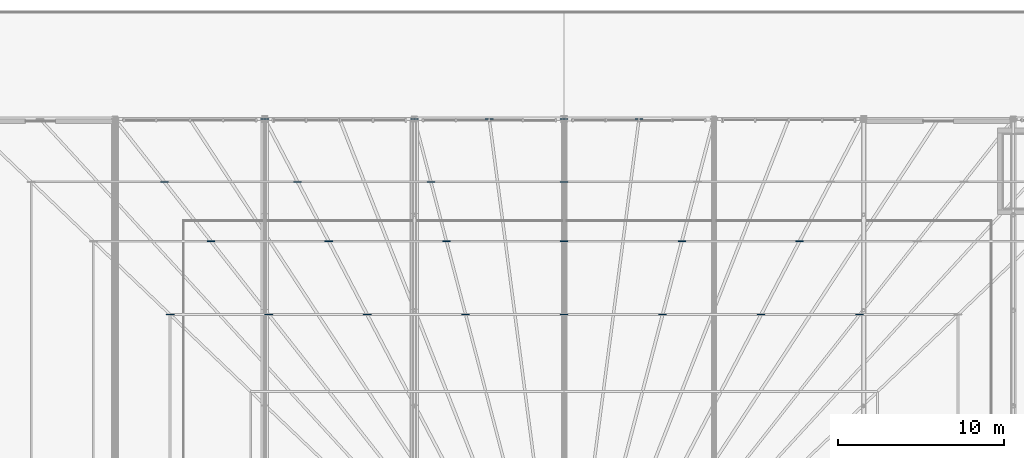
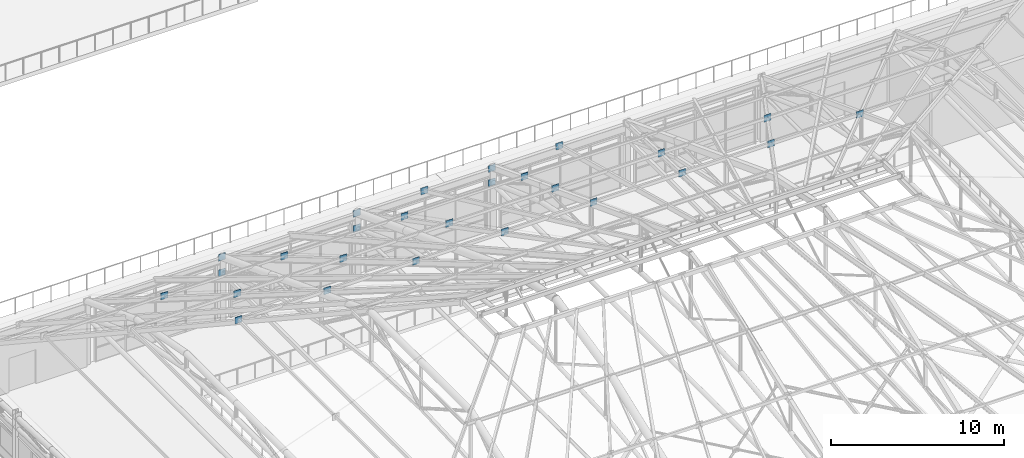
# One storey, part 146 of 168: 26 plates.
"""IFC4 building model written with IfcOpenShell, lengths in metres."""

from ifc_helpers import new_model, si_unit, direction, frame, origin, origin_2d, place, context, subcontext, project, spatial, rectangle, extrude, material, layer, layer_set, type_object, element, save


model = new_model("IFC4")

# Units and contexts
model_context = context("Model", 3, precision=1e-05, world=origin(), true_north=direction((0.0, 1.0)))
body_context = subcontext(model_context, "Body", "Model", "MODEL_VIEW")
ifc_project = project(units=[si_unit("LENGTHUNIT", "METRE"), si_unit("AREAUNIT", "SQUARE_METRE"), si_unit("VOLUMEUNIT", "CUBIC_METRE"), si_unit("PLANEANGLEUNIT", "RADIAN"), si_unit("MASSUNIT", "GRAM", prefix="KILO"), si_unit("THERMODYNAMICTEMPERATUREUNIT", "KELVIN"), si_unit("POWERUNIT", "WATT")], contexts=[model_context])

# Site, building, storey
site_placement = place(None, origin())
site = spatial("IfcSite", under=ifc_project, at=site_placement, CompositionType="ELEMENT")
building_placement = place(site_placement, origin())
building = spatial("IfcBuilding", under=site, at=building_placement, Name="Tepalcoro Natatorium and Aquatics Centre", CompositionType="ELEMENT")
storey_placement = place(building_placement, frame((0.0, 0.0, 10.199951171875)))
storey = spatial("IfcBuildingStorey", under=building, at=storey_placement, Name="L02", CompositionType="ELEMENT", Elevation=10.199951171875)

# Plates
ifc_material = material(Name="Plate Steel ASTM A572 Grade 50 (Fy 345 MPa)", Category="steel")
ifc_layer_1 = layer(ifc_material, 0.031982421875)
ifc_layer_set_1 = layer_set([ifc_layer_1], Name="Plate Steel ASTM A572 Grade 50 (Fy 345 MPa)")
plate_type_1 = type_object("IfcPlateType", Name="PL_CAP_32", PredefinedType="USERDEFINED", material=ifc_layer_set_1)
for number, where, z_axis, x_axis, name in (
    (1, (80.0, 59.0, 4.090087890625), (0.0, 0.0, 1.0), (1.0, 0.0, 0.0), "Truss Node Cap Plate RAFN"),
    (2, (84.5, 59.0, 4.090087890625), (0.0, 0.0, 1.0), (1.0, 0.0, 0.0), "Truss Node Cap Plate RAFN"),
    (3, (89.0, 59.0, 4.090087890625), (0.0, 0.0, 1.0), (1.0, 0.0, 0.0), "Truss Node Cap Plate RAFN"),
    (4, (93.5, 59.0, 4.090087890625), (0.0, 0.0, 1.0), (1.0, 0.0, 0.0), "Truss Node Cap Plate RAFN"),
    (5, (65.320068359375, 47.239990234375, 8.82421875), (0.0, 0.0, 1.0), (1.0, 0.0, 0.0), "Truss Node Cap Plate PURN"),
):
    element("IfcPlate", number, at=place(storey_placement, frame(where, z_axis=z_axis, x_axis=x_axis)), inside=storey, type_object=plate_type_1, Name=name, ObjectType="CAP PLATE", PredefinedType="USERDEFINED", context=body_context, shape_type="SweptSolid", body=[
        extrude(rectangle(XDim=0.4599609375, YDim=0.031982421875, at=origin_2d()), origin(), (0.0, 0.0, 1.0), 0.4599609375),
    ])
ifc_layer_2 = layer(ifc_material, 0.0400390625)
ifc_layer_set_2 = layer_set([ifc_layer_2], Name="Plate Steel ASTM A572 Grade 50 (Fy 345 MPa)")
plate_type_2 = type_object("IfcPlateType", Name="PL_GUSSET_40", PredefinedType="USERDEFINED", material=ifc_layer_set_2)
for number, where, z_axis, x_axis, name in (
    (6, (64.969970703125, 55.219970703125, 5.806640625), (0.0, 0.0, 1.0), (1.0, 0.0, 0.0), "Truss Node Gusset Plate PURN"),
    (7, (72.97998046875, 55.219970703125, 5.806640625), (0.0, 0.0, 1.0), (1.0, 0.0, 0.0), "Truss Node Gusset Plate PURN"),
    (8, (80.989990234375, 55.219970703125, 5.806640625), (0.0, 0.0, 1.0), (1.0, 0.0, 0.0), "Truss Node Gusset Plate PURN"),
    (9, (89.0, 55.219970703125, 5.806640625), (0.0, 0.0, 1.0), (1.0, 0.0, 0.0), "Truss Node Gusset Plate PURN"),
    (10, (67.77490234375, 51.64990234375, 7.150146484375), (0.0, 0.0, 1.0), (1.0, 0.0, 0.0), "Truss Node Gusset Plate PURN"),
    (11, (74.85009765625, 51.64990234375, 7.150146484375), (0.0, 0.0, 1.0), (1.0, 0.0, 0.0), "Truss Node Gusset Plate PURN"),
    (12, (81.925048828125, 51.64990234375, 7.150146484375), (0.0, 0.0, 1.0), (1.0, 0.0, 0.0), "Truss Node Gusset Plate PURN"),
    (13, (89.0, 51.64990234375, 7.150146484375), (0.0, 0.0, 1.0), (1.0, 0.0, 0.0), "Truss Node Gusset Plate PURN"),
    (14, (96.074951171875, 51.64990234375, 7.150146484375), (0.0, 0.0, 1.0), (1.0, 0.0, 0.0), "Truss Node Gusset Plate PURN"),
    (15, (103.14990234375, 51.64990234375, 7.150146484375), (0.0, 0.0, 1.0), (1.0, 0.0, 0.0), "Truss Node Gusset Plate PURN"),
    (16, (71.239990234375, 47.239990234375, 8.82421875), (0.0, 0.0, 1.0), (1.0, 0.0, 0.0), "Truss Node Gusset Plate PURN"),
    (17, (77.159912109375, 47.239990234375, 8.82421875), (0.0, 0.0, 1.0), (1.0, 0.0, 0.0), "Truss Node Gusset Plate PURN"),
    (18, (83.080078125, 47.239990234375, 8.82421875), (0.0, 0.0, 1.0), (1.0, 0.0, 0.0), "Truss Node Gusset Plate PURN"),
    (19, (89.0, 47.239990234375, 8.82421875), (0.0, 0.0, 1.0), (1.0, 0.0, 0.0), "Truss Node Gusset Plate PURN"),
    (20, (94.919921875, 47.239990234375, 8.82421875), (0.0, 0.0, 1.0), (1.0, 0.0, 0.0), "Truss Node Gusset Plate PURN"),
    (21, (100.840087890625, 47.239990234375, 8.82421875), (0.0, 0.0, 1.0), (1.0, 0.0, 0.0), "Truss Node Gusset Plate PURN"),
    (22, (106.760009765625, 47.239990234375, 8.82421875), (0.0, 0.0, 1.0), (1.0, 0.0, 0.0), "Truss Node Gusset Plate PURN"),
    (23, (71.0, 59.0, 4.1416015625), (0.0, 0.0, 1.0), (1.0, 0.0, 0.0), "Truss Node Gusset Plate V1T_2"),
    (24, (71.0, 59.0, 3.04150390625), (0.0, 0.0, 1.0), (1.0, 0.0, 0.0), "Truss Node Gusset Plate V1B_2"),
    (25, (80.0, 59.0, 3.01611328125), (0.0, 0.0, 1.0), (1.0, 0.0, 0.0), "Truss Node Gusset Plate V1B_3"),
    (26, (89.0, 59.0, 3.094970703125), (0.0, 0.0, 1.0), (1.0, 0.0, 0.0), "Truss Node Gusset Plate V1B_4"),
):
    element("IfcPlate", number, at=place(storey_placement, frame(where, z_axis=z_axis, x_axis=x_axis)), inside=storey, type_object=plate_type_2, Name=name, ObjectType="GUSSET PLATE", PredefinedType="USERDEFINED", context=body_context, shape_type="SweptSolid", body=[
        extrude(rectangle(XDim=0.4599609375, YDim=0.0400390625, at=origin_2d()), origin(), (0.0, 0.0, 1.0), 0.4599609375),
    ])

save(model, "model.ifc")
